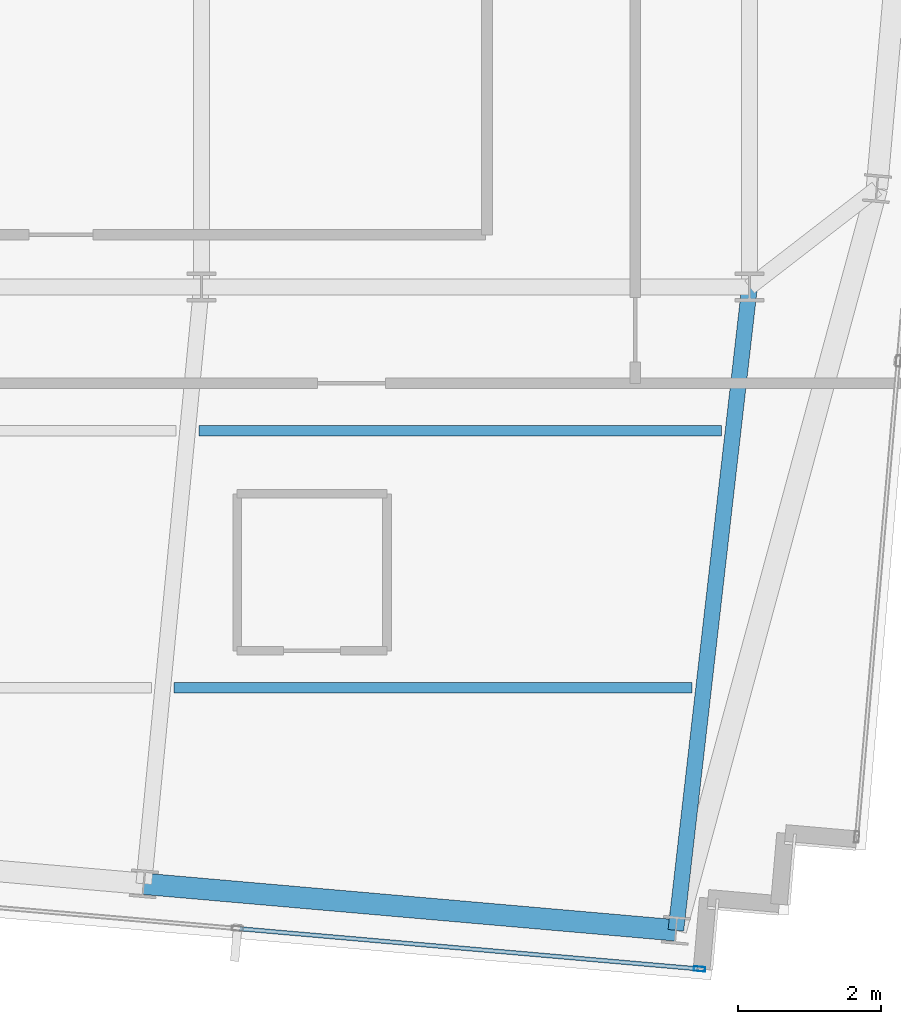
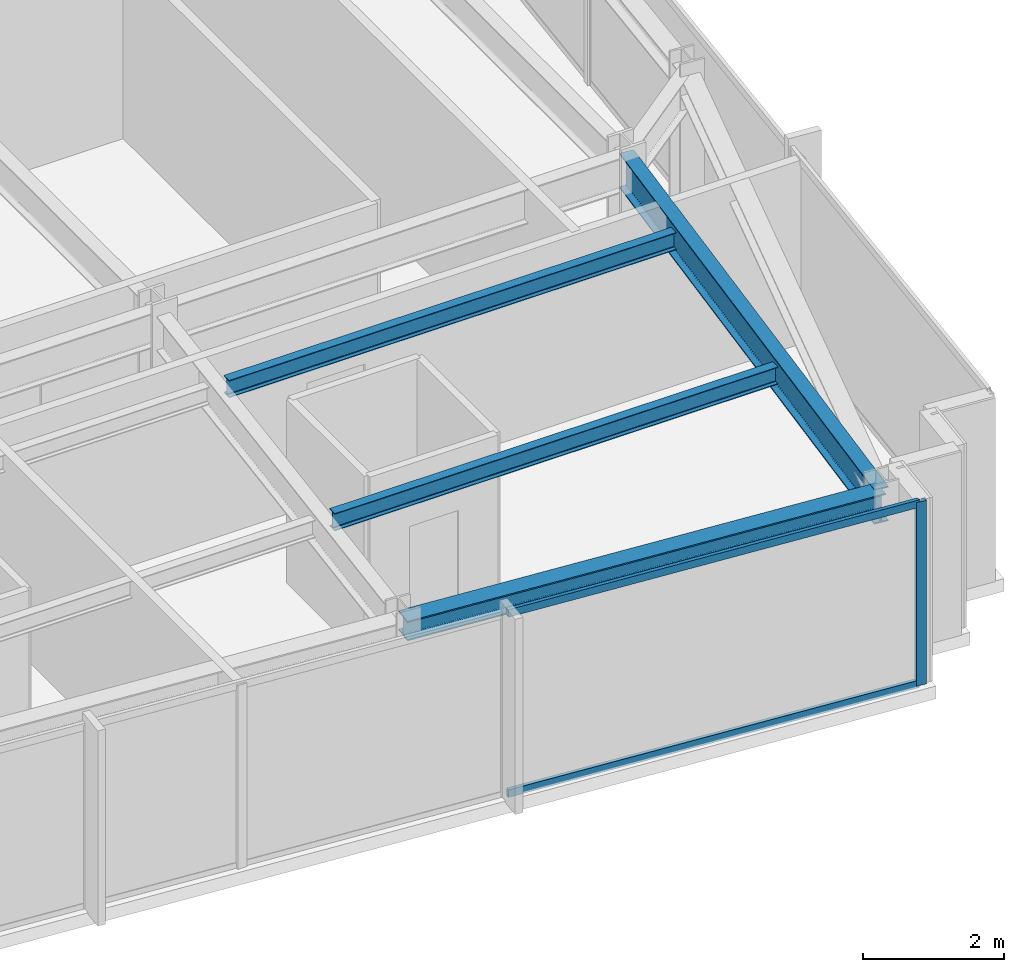
# One storey, part 14 of 33: 4 beams, 3 members, 1 element without a shape of its own.
"""IFC4 building model written with IfcOpenShell, lengths in metres."""

import ifcopenshell
import ifcopenshell.guid

model = None  # the IFC model being written
_history = None  # IfcOwnerHistory: only IFC2X3 demands one
_inside = {}  # id of a spatial element -> (the spatial element, [elements in it])
_under = {}  # id of a project, library or spatial element -> (it, [spatial elements below it])
_declared = {}  # id of a project -> (the project, [libraries it declares])
_typed = {}  # id of a type object -> (the type object, [elements of that type])
_made_of = {}  # id of a material, layer set ... -> (it, [elements and type objects made of it])


def new_model(schema):
    """Start an empty IFC model of exactly this schema.

    Asked for "IFC4X3", IfcOpenShell would pick the latest addendum, in which some entities
    have other attributes; the version numbers below select the first issue.
    IFC2X3 requires an IfcOwnerHistory on every rooted entity: one is made here for all.
    """
    global model, _history
    if schema == "IFC4X3":
        model = ifcopenshell.file(schema_version=(4, 3, 0, 0))
    else:
        model = ifcopenshell.file(schema=schema)
    _inside.clear()
    _under.clear()
    _declared.clear()
    _typed.clear()
    _made_of.clear()
    _history = None
    if model.schema == "IFC2X3":
        org = make("IfcOrganization", Name="unknown")
        user = make(
            "IfcPersonAndOrganization",
            ThePerson=make("IfcPerson", FamilyName="unknown"),
            TheOrganization=org,
        )
        app = make(
            "IfcApplication",
            ApplicationDeveloper=org,
            Version="unknown",
            ApplicationFullName="unknown",
            ApplicationIdentifier="unknown",
        )
        _history = make(
            "IfcOwnerHistory",
            OwningUser=user,
            OwningApplication=app,
            ChangeAction="ADDED",
            CreationDate=0,
        )
    return model


def make(cls, **values):
    """One entity of the class cls with the attributes given. An attribute that is None is left unset."""
    return model.create_entity(
        cls, **{name: value for name, value in values.items() if value is not None}
    )


def rooted(cls, **values):
    """An entity with a GlobalId (a new one), such as an element, a storey or a relation."""
    return make(cls, GlobalId=ifcopenshell.guid.new(), OwnerHistory=_history, **values)


def si_unit(unit_type, name, prefix=None):
    """IfcSIUnit, for example si_unit("LENGTHUNIT", "METRE", prefix="MILLI")."""
    return make("IfcSIUnit", UnitType=unit_type, Prefix=prefix, Name=name)


def assignment(units):
    """IfcUnitAssignment: the units of a project."""
    return None if units is None else make("IfcUnitAssignment", Units=units)


def point(xyz):
    """IfcCartesianPoint."""
    return None if xyz is None else make("IfcCartesianPoint", Coordinates=xyz)


def direction(xyz):
    """IfcDirection."""
    return None if xyz is None else make("IfcDirection", DirectionRatios=xyz)


def frame(location, z_axis=None, x_axis=None):
    """IfcAxis2Placement3D, a coordinate frame: its origin and axes. An axis left out is left unset."""
    return make(
        "IfcAxis2Placement3D",
        Location=point(location),
        Axis=direction(z_axis),
        RefDirection=direction(x_axis),
    )


def frame_2d(location, x_axis=None):
    """IfcAxis2Placement2D, a coordinate frame in the plane: its origin and x axis."""
    return make(
        "IfcAxis2Placement2D", Location=point(location), RefDirection=direction(x_axis)
    )


def origin():
    """The frame at (0, 0, 0) with its axes left unset."""
    return frame((0.0, 0.0, 0.0))


def origin_2d():
    """The frame at (0, 0) in the plane with its x axis left unset."""
    return frame_2d((0.0, 0.0))


def place(relative_to, where):
    """IfcLocalPlacement: puts the frame where relative to a parent placement (None: the world)."""
    return make(
        "IfcLocalPlacement", PlacementRelTo=relative_to, RelativePlacement=where
    )


def context(
    kind, dimensions, precision=None, world=None, true_north=None, identifier=None
):
    """IfcGeometricRepresentationContext, for example the 3D "Model" context."""
    return make(
        "IfcGeometricRepresentationContext",
        ContextIdentifier=identifier,
        ContextType=kind,
        CoordinateSpaceDimension=dimensions,
        Precision=precision,
        WorldCoordinateSystem=world,
        TrueNorth=true_north,
    )


def subcontext(parent, identifier, kind, view, scale=None):
    """IfcGeometricRepresentationSubContext, for example "Body" below "Model"."""
    return make(
        "IfcGeometricRepresentationSubContext",
        ContextIdentifier=identifier,
        ContextType=kind,
        ParentContext=parent,
        TargetScale=scale,
        TargetView=view,
    )


def project(units=None, contexts=None):
    """IfcProject with its units and contexts."""
    return rooted(
        "IfcProject",
        Name="project",
        RepresentationContexts=contexts,
        UnitsInContext=assignment(units),
    )


def spatial(cls, under=None, at=None, **own):
    """A site, building, storey or space (cls), placed at a placement, below another one or the project."""
    s = rooted(cls, ObjectPlacement=at, **own)
    if under is not None:
        _under.setdefault(under.id(), (under, []))[1].append(s)
    return s


def profile(cls, at=None, kind="AREA", **sizes):
    """A parametric profile (cls). Its sizes go by their IFC names, for example OverallWidth=200.0."""
    return make(cls, ProfileType=kind, Position=at, **sizes)


def hollow_rectangle(**sizes):
    """IfcRectangleHollowProfileDef."""
    return profile("IfcRectangleHollowProfileDef", **sizes)


def i_section(**sizes):
    """IfcIShapeProfileDef."""
    return profile("IfcIShapeProfileDef", **sizes)


def extrude(swept, where, along, depth):
    """IfcExtrudedAreaSolid: the profile swept, set in the frame where, extruded along a direction by depth."""
    return make(
        "IfcExtrudedAreaSolid",
        SweptArea=swept,
        Position=where,
        ExtrudedDirection=direction(along),
        Depth=depth,
    )


def shape(context_of_items, identifier, shape_type, items):
    """IfcShapeRepresentation: the items that make up one representation, for example the "Body"."""
    return make(
        "IfcShapeRepresentation",
        ContextOfItems=context_of_items,
        RepresentationIdentifier=identifier,
        RepresentationType=shape_type,
        Items=items,
    )


def material(Name=None, Category=None):
    """IfcMaterial."""
    return make("IfcMaterial", Name=Name, Category=Category)


def material_profile(
    of_material, cross_section, Name=None, Category=None, Priority=None
):
    """IfcMaterialProfile: a cross section and its material."""
    return make(
        "IfcMaterialProfile",
        Name=Name,
        Material=of_material,
        Profile=cross_section,
        Priority=Priority,
        Category=Category,
    )


def profile_set(profiles, Name=None, composite=None):
    """IfcMaterialProfileSet."""
    return make(
        "IfcMaterialProfileSet",
        Name=Name,
        MaterialProfiles=profiles,
        CompositeProfile=composite,
    )


def made_of(thing, what):
    """Note that an element or type object is made of a material, layer set ...; save() writes the relation."""
    if what is not None:
        _made_of.setdefault(what.id(), (what, []))[1].append(thing)
    return thing


def type_object(cls, material=None, **own):
    """A type object (cls), such as IfcWallType, which elements share."""
    return made_of(rooted(cls, **own), material)


def element(
    cls,
    number,
    at=None,
    inside=None,
    cuts=None,
    type_object=None,
    material=None,
    context=None,
    identifier="Body",
    shape_type=None,
    held_by="IfcProductDefinitionShape",
    body=None,
    shapes=None,
    **own,
):
    """One element of the class cls, such as IfcWall. Its Tag is "e" and its number.

    at: its placement. inside: the storey or other place that contains it. cuts: it is an
    opening in that element (IfcRelVoidsElement). A single representation is given by context,
    identifier, shape_type and body (its items); several are given by shapes. held_by: the class
    of the entity that holds the representations. save() writes the other relations.
    """
    e = rooted(cls, Tag="e%d" % number, ObjectPlacement=at, **own)
    if body is not None:
        shapes = [shape(context, identifier, shape_type, body)]
    if shapes is not None:
        e.Representation = make(held_by, Representations=shapes)
    if inside is not None:
        _inside.setdefault(inside.id(), (inside, []))[1].append(e)
    if cuts is not None:
        rooted(
            "IfcRelVoidsElement", RelatingBuildingElement=cuts, RelatedOpeningElement=e
        )
    if type_object is not None:
        _typed.setdefault(type_object.id(), (type_object, []))[1].append(e)
    return made_of(e, material)


def aggregate(whole, parts):
    """IfcRelAggregates: a whole, such as a stair, and the parts it consists of."""
    return rooted("IfcRelAggregates", RelatingObject=whole, RelatedObjects=parts)


def save(model, path):
    """Write the relations noted so far, then the file.

    IfcRelAggregates (storeys below a building ...), IfcRelContainedInSpatialStructure (elements
    in a storey), IfcRelDefinesByType, IfcRelAssociatesMaterial and IfcRelDeclares: one each for
    every whole, place, type object, material and project.
    """
    for whole, parts in _under.values():
        aggregate(whole, parts)
    for where, things in _inside.values():
        rooted(
            "IfcRelContainedInSpatialStructure",
            RelatedElements=things,
            RelatingStructure=where,
        )
    for kind, things in _typed.values():
        rooted("IfcRelDefinesByType", RelatedObjects=things, RelatingType=kind)
    for what, things in _made_of.values():
        rooted("IfcRelAssociatesMaterial", RelatedObjects=things, RelatingMaterial=what)
    for by, libraries in _declared.values():
        rooted("IfcRelDeclares", RelatingContext=by, RelatedDefinitions=libraries)
    model.write(path)


model = new_model("IFC4")

# Units and contexts
model_context = context("Model", 3, precision=1e-05, world=origin(), true_north=direction((0.0, 1.0)))
body_context = subcontext(model_context, "Body", "Model", "MODEL_VIEW")
ifc_project = project(units=[si_unit("LENGTHUNIT", "METRE"), si_unit("AREAUNIT", "SQUARE_METRE"), si_unit("VOLUMEUNIT", "CUBIC_METRE"), si_unit("PLANEANGLEUNIT", "RADIAN"), si_unit("MASSUNIT", "GRAM", prefix="KILO")], contexts=[model_context])

# Site, building, storey
site_placement = place(None, origin())
site = spatial("IfcSite", under=ifc_project, at=site_placement, CompositionType="ELEMENT")
building_placement = place(site_placement, origin())
building = spatial("IfcBuilding", under=site, at=building_placement, Name="Yelkora Congress Tower", CompositionType="ELEMENT")
storey_placement = place(building_placement, frame((0.0, 0.0, 282.89990234375)))
storey = spatial("IfcBuildingStorey", under=building, at=storey_placement, Name="L79", CompositionType="ELEMENT", Elevation=282.89990234375)

# Beams
ifc_material_1 = material(Name="Steel S355J2", Category="steel")
ifc_material_profile_1 = material_profile(ifc_material_1, i_section(OverallWidth=0.219970703125, OverallDepth=0.60009765625, WebThickness=0.011962890625, FlangeThickness=0.01904296875, FilletRadius=0.02392578125, at=origin_2d()), Name="IPE 600")
ifc_profile_set_1 = profile_set([ifc_material_profile_1], Name="Steel S355J2")
beam_type_1 = type_object("IfcBeamType", Name="BM-GIRD-IPE600", PredefinedType="BEAM", material=ifc_profile_set_1)
beam_1_placement = place(storey_placement, frame((52.727294921875, 16.1845703125, 2.880126953125), z_axis=(0.113806093355, 0.993502980929, 0.0), x_axis=(-0.993502980929, 0.113806093355, 0.0)))
element("IfcBeam", 1, at=beam_1_placement, inside=storey, type_object=beam_type_1, Name="L79 Primary Frame Girder S07", PredefinedType="BEAM", context=body_context, shape_type="SweptSolid", body=[
    extrude(i_section(OverallWidth=0.219970703125, OverallDepth=0.60009765625, WebThickness=0.011962890625, FlangeThickness=0.01904296875, FilletRadius=0.02392578125, at=origin_2d()), origin(), (0.0, 0.0, 1.0), 9.07421875),
])
ifc_material_profile_2 = material_profile(ifc_material_1, i_section(OverallWidth=0.14990234375, OverallDepth=0.300048828125, WebThickness=0.007080078125, FlangeThickness=0.0107421875, FilletRadius=0.014892578125, at=origin_2d()), Name="IPE 300")
ifc_profile_set_2 = profile_set([ifc_material_profile_2], Name="Steel S355J2")
beam_type_2 = type_object("IfcBeamType", Name="BM-JOIST-IPE300", PredefinedType="JOIST", material=ifc_profile_set_2)
beam_2_placement = place(storey_placement, frame((45.69775390625, 19.58447265625, 3.030029296875), z_axis=(1.0, 0.0, 0.0), x_axis=(0.0, 1.0, 0.0)))
element("IfcBeam", 2, at=beam_2_placement, inside=storey, type_object=beam_type_2, Name="L79 Composite Floor Joist 4", PredefinedType="JOIST", context=body_context, shape_type="SweptSolid", body=[
    extrude(i_section(OverallWidth=0.14990234375, OverallDepth=0.300048828125, WebThickness=0.007080078125, FlangeThickness=0.0107421875, FilletRadius=0.014892578125, at=origin_2d()), origin(), (0.0, 0.0, 1.0), 7.259033203125),
])
beam_3_placement = place(storey_placement, frame((46.04541015625, 23.1845703125, 3.030029296875), z_axis=(1.0, 0.0, 0.0), x_axis=(0.0, 1.0, 0.0)))
element("IfcBeam", 3, at=beam_3_placement, inside=storey, type_object=beam_type_2, Name="L79 Composite Floor Joist 8", PredefinedType="JOIST", context=body_context, shape_type="SweptSolid", body=[
    extrude(i_section(OverallWidth=0.14990234375, OverallDepth=0.300048828125, WebThickness=0.007080078125, FlangeThickness=0.0107421875, FilletRadius=0.014892578125, at=origin_2d()), origin(), (0.0, 0.0, 1.0), 7.32373046875),
])
ifc_material_profile_3 = material_profile(ifc_material_1, i_section(OverallWidth=0.300048828125, OverallDepth=0.340087890625, WebThickness=0.011962890625, FlangeThickness=0.021484375, FilletRadius=0.027099609375, at=origin_2d()), Name="HEB 340")
ifc_profile_set_3 = profile_set([ifc_material_profile_3], Name="Steel S355J2")
beam_type_3 = type_object("IfcBeamType", Name="BM-SPAN-HEB340", PredefinedType="SPANDREL", material=ifc_profile_set_3)
beam_4_placement = place(storey_placement, frame((45.2724609375, 16.836669921875, 3.010009765625), z_axis=(0.99619601894, -0.087140644067, 0.0), x_axis=(0.087140644067, 0.99619601894, 0.0)))
element("IfcBeam", 4, at=beam_4_placement, inside=storey, type_object=beam_type_3, Name="L79 Perimeter Beam 6", PredefinedType="SPANDREL", context=body_context, shape_type="SweptSolid", body=[
    extrude(i_section(OverallWidth=0.300048828125, OverallDepth=0.340087890625, WebThickness=0.011962890625, FlangeThickness=0.021484375, FilletRadius=0.027099609375, at=origin_2d()), origin(), (0.0, 0.0, 1.0), 7.4833984375),
])

# Curtain wall, members
ifc_material_2 = material(Name="Anodised aluminium and insulated glass", Category="aluminium")
curtain_wall_type = type_object("IfcCurtainWallType", Name="CW-SYS-B5", PredefinedType="NOTDEFINED", material=ifc_material_2)
curtain_wall_placement = place(storey_placement, origin())
curtain_wall = element("IfcCurtainWall", 5, at=curtain_wall_placement, inside=storey, type_object=curtain_wall_type, Name="L79 Unitised Curtain Wall 20", PredefinedType="NOTDEFINED")
ifc_material_3 = material(Name="Anodised aluminium 6063-T6", Category="aluminium")
ifc_material_profile_4 = material_profile(ifc_material_3, hollow_rectangle(XDim=0.06494140625, YDim=0.159912109375, WallThickness=0.00390625, at=origin_2d()), Name="ALU 65x160x4")
ifc_profile_set_4 = profile_set([ifc_material_profile_4], Name="Anodised aluminium 6063-T6")
member_type_1 = type_object("IfcMemberType", Name="MEM-ML-B5", PredefinedType="MULLION", material=ifc_profile_set_4)
member_1_placement = place(storey_placement, frame((53.058837890625, 15.6435546875, 0.0), z_axis=(0.0, 0.0, 1.0), x_axis=(-0.087156829793, -0.996194602987, 0.0)))
member_1 = element("IfcMember", 6, at=member_1_placement, type_object=member_type_1, Name="CW-B5 mullion 1", PredefinedType="MULLION", context=body_context, shape_type="SweptSolid", body=[
    extrude(hollow_rectangle(XDim=0.06494140625, YDim=0.159912109375, WallThickness=0.00390625, at=origin_2d()), origin(), (0.0, 0.0, 1.0), 3.18017578125),
])
ifc_material_profile_5 = material_profile(ifc_material_3, hollow_rectangle(XDim=0.06005859375, YDim=0.1298828125, WallThickness=0.00390625, at=origin_2d()), Name="ALU 60x130x4")
ifc_profile_set_5 = profile_set([ifc_material_profile_5], Name="Anodised aluminium 6063-T6")
member_type_2 = type_object("IfcMemberType", Name="MEM-TR-B5", PredefinedType="USERDEFINED", material=ifc_profile_set_5)
member_2_placement = place(storey_placement, frame((53.0263671875, 15.646484375, 0.030029296875), z_axis=(-0.996197464696, 0.087124114537, 0.0), x_axis=(-0.087124114537, -0.996197464696, 0.0)))
member_2 = element("IfcMember", 7, at=member_2_placement, type_object=member_type_2, Name="CW-B5 transom 1.1", ObjectType="TRANSOM", PredefinedType="USERDEFINED", context=body_context, shape_type="SweptSolid", body=[
    extrude(hollow_rectangle(XDim=0.06005859375, YDim=0.1298828125, WallThickness=0.00390625, at=origin_2d()), origin(), (0.0, 0.0, 1.0), 6.433837890625),
])
member_3_placement = place(storey_placement, frame((53.0263671875, 15.646484375, 3.150146484375), z_axis=(-0.996197464696, 0.087124114537, 0.0), x_axis=(-0.087124114537, -0.996197464696, 0.0)))
member_3 = element("IfcMember", 8, at=member_3_placement, type_object=member_type_2, Name="CW-B5 transom 1.2", ObjectType="TRANSOM", PredefinedType="USERDEFINED", context=body_context, shape_type="SweptSolid", body=[
    extrude(hollow_rectangle(XDim=0.06005859375, YDim=0.1298828125, WallThickness=0.00390625, at=origin_2d()), origin(), (0.0, 0.0, 1.0), 6.433837890625),
])
aggregate(curtain_wall, [member_1, member_2, member_3])

save(model, "model.ifc")
